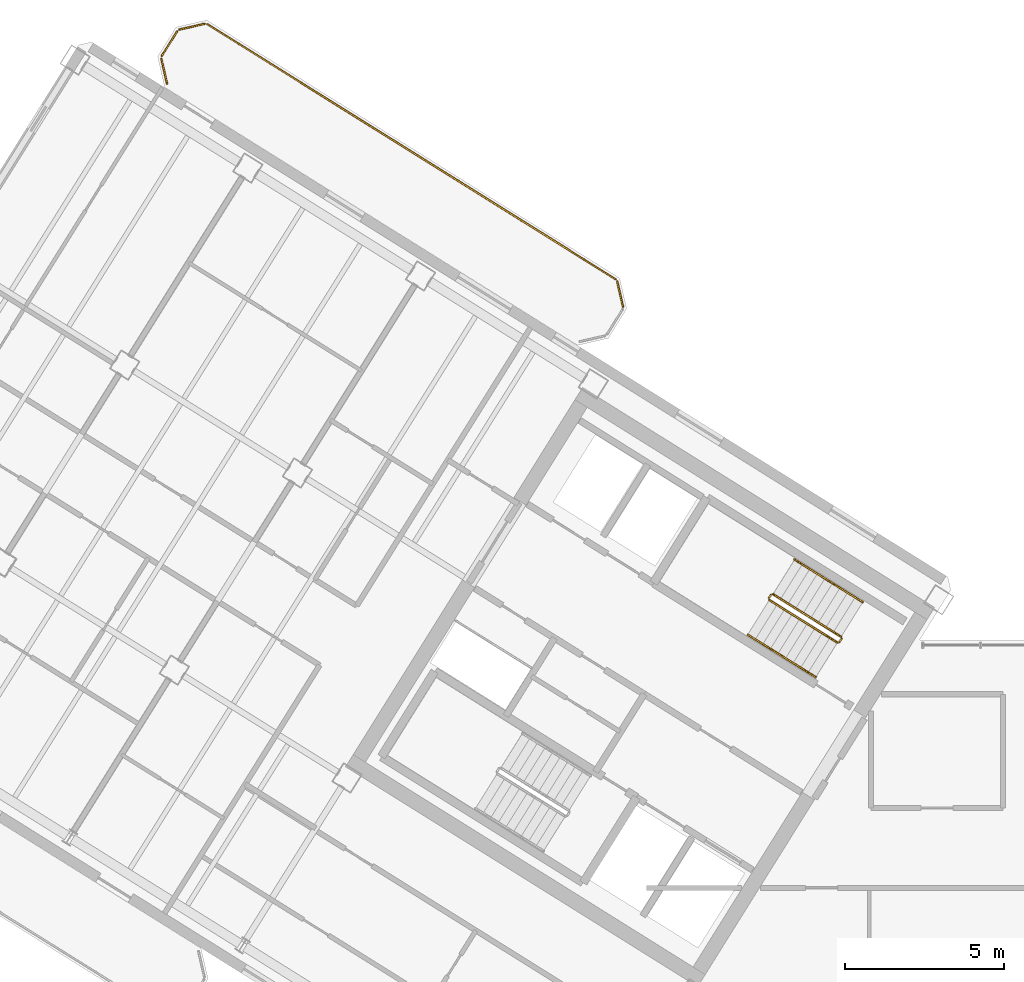
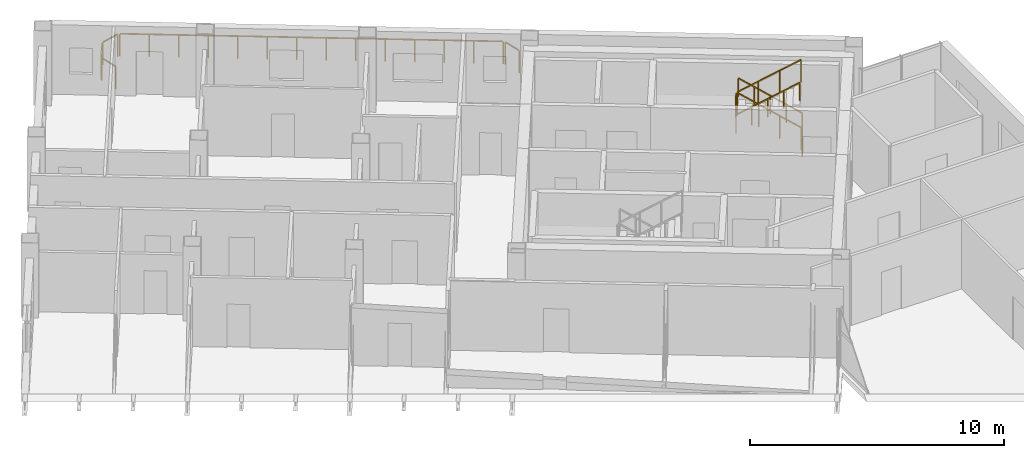
# One storey, part 14 of 14: 13 railings.
"""IFC4 building model written with IfcOpenShell, lengths in metres."""

from ifc_helpers import new_model, si_unit, direction, frame, origin, origin_2d, place, context, subcontext, project, spatial, rectangle, extrude, source, transform, mapped, material, type_object, element, save


model = new_model("IFC4")

# Units and contexts
model_context = context("Model", 3, precision=1e-05, world=origin(), true_north=direction((0.0, 1.0)))
body_context = subcontext(model_context, "Body", "Model", "MODEL_VIEW")
ifc_project = project(units=[si_unit("LENGTHUNIT", "METRE"), si_unit("AREAUNIT", "SQUARE_METRE"), si_unit("VOLUMEUNIT", "CUBIC_METRE"), si_unit("PLANEANGLEUNIT", "RADIAN"), si_unit("MASSUNIT", "GRAM", prefix="KILO")], contexts=[model_context])

# Site, building, storey
site_placement = place(None, origin())
site = spatial("IfcSite", under=ifc_project, at=site_placement, CompositionType="ELEMENT")
building_placement = place(site_placement, origin())
building = spatial("IfcBuilding", under=site, at=building_placement, Name="Tlacorven Tower", CompositionType="ELEMENT")
storey_placement = place(building_placement, frame((0.0, 0.0, 273.60009765625)))
storey = spatial("IfcBuildingStorey", under=building, at=storey_placement, Name="L69", CompositionType="ELEMENT", Elevation=273.60009765625)

# Railings
ifc_material = material(Name="Aluminium and painted steel balustrade", Category="steel")
railing_type_1 = type_object("IfcRailingType", Name="RL-BAL-1100", PredefinedType="BALUSTRADE", material=ifc_material)
shared_shape_1 = source(origin(), body_context, "Body", "SweptSolid", [
    extrude(rectangle(XDim=0.048095703125, YDim=0.048095703125, at=origin_2d()), frame((0.0, 0.0, 1.076171875), z_axis=(0.225058334816, -0.974345290916, 0.0), x_axis=(0.974345290916, 0.225058334816, 0.0)), (0.0, 0.0, 1.0), 0.80712890625),
    extrude(rectangle(XDim=0.0419921875, YDim=0.0419921875, at=origin_2d()), origin(), (0.0, 0.0, 1.0), 1.052001953125),
    extrude(rectangle(XDim=0.0419921875, YDim=0.0419921875, at=origin_2d()), frame((0.181640625, -0.786376953125, 0.0)), (0.0, 0.0, 1.0), 1.052001953125),
])
railing_1_placement = place(storey_placement, frame((30.6796875, 34.466064453125, 0.0)))
element("IfcRailing", 1, at=railing_1_placement, inside=storey, type_object=railing_type_1, Name="BAL-L69-W-IN Guard Railing 1", PredefinedType="BALUSTRADE", context=body_context, shape_type="MappedRepresentation", body=[
    mapped(shared_shape_1, transform((0.0, 0.0, 0.0), scale=1.0)),
])
shared_shape_2 = source(origin(), body_context, "Body", "SweptSolid", [
    extrude(rectangle(XDim=0.048095703125, YDim=0.048095703125, at=origin_2d()), frame((0.0, 0.0, 1.076171875), z_axis=(-0.225058334816, 0.974345290916, 0.0), x_axis=(-0.974345290916, -0.225058334816, 0.0)), (0.0, 0.0, 1.0), 0.80712890625),
    extrude(rectangle(XDim=0.0419921875, YDim=0.0419921875, at=origin_2d()), origin(), (0.0, 0.0, 1.0), 1.052001953125),
    extrude(rectangle(XDim=0.0419921875, YDim=0.0419921875, at=origin_2d()), frame((-0.181640625, 0.786376953125, 0.0)), (0.0, 0.0, 1.0), 1.052001953125),
])
railing_2_placement = place(storey_placement, frame((16.5361328125, 40.68115234375, 0.0)))
element("IfcRailing", 2, at=railing_2_placement, inside=storey, type_object=railing_type_1, Name="BAL-L69-W-IN Guard Railing 4", PredefinedType="BALUSTRADE", context=body_context, shape_type="MappedRepresentation", body=[
    mapped(shared_shape_2, transform((0.0, 0.0, 0.0), scale=1.0)),
])
shared_shape_3 = source(origin(), body_context, "Body", "SweptSolid", [
    extrude(rectangle(XDim=0.048095703125, YDim=0.048095703125, at=origin_2d()), frame((0.0, 0.0, 1.076171875), z_axis=(0.52987865805, 0.848073468364, 0.0), x_axis=(-0.848073468364, 0.52987865805, 0.0)), (0.0, 0.0, 1.0), 0.912353515625),
    extrude(rectangle(XDim=0.0419921875, YDim=0.0419921875, at=origin_2d()), origin(), (0.0, 0.0, 1.0), 1.052001953125),
    extrude(rectangle(XDim=0.0419921875, YDim=0.0419921875, at=origin_2d()), frame((0.4833984375, 0.773681640625, 0.0)), (0.0, 0.0, 1.0), 1.052001953125),
])
railing_3_placement = place(storey_placement, frame((16.369873046875, 41.55859375, 0.0)))
element("IfcRailing", 3, at=railing_3_placement, inside=storey, type_object=railing_type_1, Name="BAL-L69-W-IN Guard Railing 5", PredefinedType="BALUSTRADE", context=body_context, shape_type="MappedRepresentation", body=[
    mapped(shared_shape_3, transform((0.0, 0.0, 0.0), scale=1.0)),
])
shared_shape_4 = source(origin(), body_context, "Body", "SweptSolid", [
    extrude(rectangle(XDim=0.048095703125, YDim=0.048095703125, at=origin_2d()), frame((0.0, 0.0, 1.076171875), z_axis=(0.974411586182, 0.224771129628, 0.0), x_axis=(-0.224771129628, 0.974411586182, 0.0)), (0.0, 0.0, 1.0), 0.80712890625),
    extrude(rectangle(XDim=0.0419921875, YDim=0.0419921875, at=origin_2d()), origin(), (0.0, 0.0, 1.0), 1.052001953125),
    extrude(rectangle(XDim=0.0419921875, YDim=0.0419921875, at=origin_2d()), frame((0.786376953125, 0.181396484375, 0.0)), (0.0, 0.0, 1.0), 1.052001953125),
])
railing_4_placement = place(storey_placement, frame((16.928466796875, 42.385986328125, 0.0)))
element("IfcRailing", 4, at=railing_4_placement, inside=storey, type_object=railing_type_1, Name="BAL-L69-W-IN Guard Railing 6", PredefinedType="BALUSTRADE", context=body_context, shape_type="MappedRepresentation", body=[
    mapped(shared_shape_4, transform((0.0, 0.0, 0.0), scale=1.0)),
])
shared_shape_5 = source(origin(), body_context, "Body", "SweptSolid", [
    extrude(rectangle(XDim=0.048095703125, YDim=0.048095703125, at=origin_2d()), frame((0.0, 0.0, 1.076171875), z_axis=(0.848044572804, -0.529924902733, 0.0), x_axis=(0.529924902733, 0.848044572804, 0.0)), (0.0, 0.0, 1.0), 15.1171875),
    extrude(rectangle(XDim=0.0419921875, YDim=0.0419921875, at=origin_2d()), origin(), (0.0, 0.0, 1.0), 1.052001953125),
    extrude(rectangle(XDim=0.0419921875, YDim=0.0419921875, at=origin_2d()), frame((0.986083984375, -0.6162109375, 0.0)), (0.0, 0.0, 1.0), 1.052001953125),
    extrude(rectangle(XDim=0.0419921875, YDim=0.0419921875, at=origin_2d()), frame((1.972412109375, -1.232421875, 0.0)), (0.0, 0.0, 1.0), 1.052001953125),
    extrude(rectangle(XDim=0.0419921875, YDim=0.0419921875, at=origin_2d()), frame((2.95849609375, -1.8486328125, 0.0)), (0.0, 0.0, 1.0), 1.052001953125),
    extrude(rectangle(XDim=0.0419921875, YDim=0.0419921875, at=origin_2d()), frame((3.944580078125, -2.46484375, 0.0)), (0.0, 0.0, 1.0), 1.052001953125),
    extrude(rectangle(XDim=0.0419921875, YDim=0.0419921875, at=origin_2d()), frame((4.930908203125, -3.0810546875, 0.0)), (0.0, 0.0, 1.0), 1.052001953125),
    extrude(rectangle(XDim=0.0419921875, YDim=0.0419921875, at=origin_2d()), frame((5.9169921875, -3.697265625, 0.0)), (0.0, 0.0, 1.0), 1.052001953125),
    extrude(rectangle(XDim=0.0419921875, YDim=0.0419921875, at=origin_2d()), frame((6.903076171875, -4.313720703125, 0.0)), (0.0, 0.0, 1.0), 1.052001953125),
    extrude(rectangle(XDim=0.0419921875, YDim=0.0419921875, at=origin_2d()), frame((7.88916015625, -4.929931640625, 0.0)), (0.0, 0.0, 1.0), 1.052001953125),
    extrude(rectangle(XDim=0.0419921875, YDim=0.0419921875, at=origin_2d()), frame((8.87548828125, -5.546142578125, 0.0)), (0.0, 0.0, 1.0), 1.052001953125),
    extrude(rectangle(XDim=0.0419921875, YDim=0.0419921875, at=origin_2d()), frame((9.861572265625, -6.162353515625, 0.0)), (0.0, 0.0, 1.0), 1.052001953125),
    extrude(rectangle(XDim=0.0419921875, YDim=0.0419921875, at=origin_2d()), frame((10.84765625, -6.778564453125, 0.0)), (0.0, 0.0, 1.0), 1.052001953125),
    extrude(rectangle(XDim=0.0419921875, YDim=0.0419921875, at=origin_2d()), frame((11.833984375, -7.394775390625, 0.0)), (0.0, 0.0, 1.0), 1.052001953125),
    extrude(rectangle(XDim=0.0419921875, YDim=0.0419921875, at=origin_2d()), frame((12.820068359375, -8.010986328125, 0.0)), (0.0, 0.0, 1.0), 1.052001953125),
])
railing_5_placement = place(storey_placement, frame((17.805908203125, 42.55224609375, 0.0)))
element("IfcRailing", 5, at=railing_5_placement, inside=storey, type_object=railing_type_1, Name="BAL-L69-W-IN Guard Railing 7", PredefinedType="BALUSTRADE", context=body_context, shape_type="MappedRepresentation", body=[
    mapped(shared_shape_5, transform((0.0, 0.0, 0.0), scale=1.0)),
])
railing_type_2 = type_object("IfcRailingType", Name="RL-GRD-1100", PredefinedType="GUARDRAIL", material=ifc_material)
shared_shape_6 = source(origin(), body_context, "Body", "SweptSolid", [
    extrude(rectangle(XDim=0.048095703125, YDim=0.048095703125, at=origin_2d()), frame((0.0, 0.0, 1.076171875), z_axis=(-0.530546985787, -0.847655529016, 0.0), x_axis=(0.847655529016, -0.530546985787, 0.0)), (0.0, 0.0, 1.0), 0.1201171875),
    extrude(rectangle(XDim=0.0419921875, YDim=0.0419921875, at=origin_2d()), origin(), (0.0, 0.0, 1.0), 1.052001953125),
    extrude(rectangle(XDim=0.0419921875, YDim=0.0419921875, at=origin_2d()), frame((-0.063720703125, -0.101806640625, 0.0)), (0.0, 0.0, 1.0), 1.052001953125),
])
railing_6_placement = place(storey_placement, frame((37.728271484375, 23.24072265625, 0.0)))
element("IfcRailing", 6, at=railing_6_placement, inside=storey, type_object=railing_type_2, Name="L69 ST-W2 stair guard 4", PredefinedType="GUARDRAIL", context=body_context, shape_type="MappedRepresentation", body=[
    mapped(shared_shape_6, transform((0.0, 0.0, 0.0), scale=1.0)),
])
railing_type_3 = type_object("IfcRailingType", Name="RL-HND-0900", PredefinedType="HANDRAIL", material=ifc_material)
shared_shape_7 = source(origin(), body_context, "Body", "SweptSolid", [
    extrude(rectangle(XDim=0.048095703125, YDim=0.048095703125, at=origin_2d()), frame((0.0, 0.0, 0.8759765625), z_axis=(-0.713359751793, 0.4457479829, 0.540764828981), x_axis=(-0.529911857636, -0.848052724267, 0.0)), (0.0, 0.0, 1.0), 1.498046875),
    extrude(rectangle(XDim=0.0419921875, YDim=0.0419921875, at=origin_2d()), origin(), (0.0, 0.0, 1.0), 0.851806640625),
    extrude(rectangle(XDim=0.0419921875, YDim=0.0419921875, at=origin_2d()), frame((-0.5341796875, 0.333984375, 0.405029296875)), (0.0, 0.0, 1.0), 0.851806640625),
    extrude(rectangle(XDim=0.0419921875, YDim=0.0419921875, at=origin_2d()), frame((-1.068603515625, 0.667724609375, 0.81005859375)), (0.0, 0.0, 1.0), 0.851806640625),
])
railing_7_placement = place(storey_placement, frame((38.390625, 24.39501953125, 0.179931640625)))
element("IfcRailing", 7, at=railing_7_placement, inside=storey, type_object=railing_type_3, Name="L69 ST-W2 stair handrail 1", PredefinedType="HANDRAIL", context=body_context, shape_type="MappedRepresentation", body=[
    mapped(shared_shape_7, transform((0.0, 0.0, 0.0), scale=1.0)),
])
shared_shape_8 = source(origin(), body_context, "Body", "SweptSolid", [
    extrude(rectangle(XDim=0.048095703125, YDim=0.048095703125, at=origin_2d()), frame((0.0, 0.0, 0.8759765625), z_axis=(0.713359751793, -0.4457479829, 0.540764828981), x_axis=(0.529911857636, 0.848052724267, 0.0)), (0.0, 0.0, 1.0), 1.498046875),
    extrude(rectangle(XDim=0.0419921875, YDim=0.0419921875, at=origin_2d()), origin(), (0.0, 0.0, 1.0), 0.851806640625),
    extrude(rectangle(XDim=0.0419921875, YDim=0.0419921875, at=origin_2d()), frame((0.5341796875, -0.333984375, 0.405029296875)), (0.0, 0.0, 1.0), 0.851806640625),
    extrude(rectangle(XDim=0.0419921875, YDim=0.0419921875, at=origin_2d()), frame((1.068603515625, -0.667724609375, 0.81005859375)), (0.0, 0.0, 1.0), 0.851806640625),
])
railing_8_placement = place(storey_placement, frame((35.848876953125, 22.705078125, 2.789794921875)))
element("IfcRailing", 8, at=railing_8_placement, inside=storey, type_object=railing_type_3, Name="L69 ST-W2 stair handrail 4", PredefinedType="HANDRAIL", context=body_context, shape_type="MappedRepresentation", body=[
    mapped(shared_shape_8, transform((0.0, 0.0, 0.0), scale=1.0)),
])
shared_shape_9 = source(origin(), body_context, "Body", "SweptSolid", [
    extrude(rectangle(XDim=0.048095703125, YDim=0.048095703125, at=origin_2d()), frame((0.0, 0.0, 1.076171875), z_axis=(-0.713351164325, 0.445793541512, 0.540738601085), x_axis=(-0.529955395941, -0.84802551749, 0.0)), (0.0, 0.0, 1.0), 2.99560546875),
    extrude(rectangle(XDim=0.0419921875, YDim=0.0419921875, at=origin_2d()), origin(), (0.0, 0.0, 1.0), 1.052001953125),
    extrude(rectangle(XDim=0.0419921875, YDim=0.0419921875, at=origin_2d()), frame((-0.71240234375, 0.445068359375, 0.5400390625)), (0.0, 0.0, 1.0), 1.052001953125),
    extrude(rectangle(XDim=0.0419921875, YDim=0.0419921875, at=origin_2d()), frame((-1.424560546875, 0.890380859375, 1.079833984375)), (0.0, 0.0, 1.0), 1.052001953125),
    extrude(rectangle(XDim=0.0419921875, YDim=0.0419921875, at=origin_2d()), frame((-2.136962890625, 1.33544921875, 1.619873046875)), (0.0, 0.0, 1.0), 1.052001953125),
])
railing_9_placement = place(storey_placement, frame((37.712158203125, 23.3095703125, 0.179931640625)))
element("IfcRailing", 9, at=railing_9_placement, inside=storey, type_object=railing_type_2, Name="L69 ST-W2 stair guard 1", PredefinedType="GUARDRAIL", context=body_context, shape_type="MappedRepresentation", body=[
    mapped(shared_shape_9, transform((0.0, 0.0, 0.0), scale=1.0)),
])
shared_shape_10 = source(origin(), body_context, "Body", "SweptSolid", [
    extrude(rectangle(XDim=0.048095703125, YDim=0.048095703125, at=origin_2d()), frame((0.0, 0.0, 0.8759765625), z_axis=(-0.713422621445, 0.445787267455, 0.540649494022), x_axis=(-0.529911857636, -0.848052724267, 0.0)), (0.0, 0.0, 1.0), 1.497802734375),
    extrude(rectangle(XDim=0.0419921875, YDim=0.0419921875, at=origin_2d()), origin(), (0.0, 0.0, 1.0), 0.851806640625),
    extrude(rectangle(XDim=0.0419921875, YDim=0.0419921875, at=origin_2d()), frame((-0.5341796875, 0.333984375, 0.40478515625)), (0.0, 0.0, 1.0), 0.851806640625),
    extrude(rectangle(XDim=0.0419921875, YDim=0.0419921875, at=origin_2d()), frame((-1.068603515625, 0.667724609375, 0.809814453125)), (0.0, 0.0, 1.0), 0.851806640625),
])
railing_10_placement = place(storey_placement, frame((37.322021484375, 25.062744140625, 0.989990234375)))
element("IfcRailing", 10, at=railing_10_placement, inside=storey, type_object=railing_type_3, Name="L69 ST-W2 stair handrail 2", PredefinedType="HANDRAIL", context=body_context, shape_type="MappedRepresentation", body=[
    mapped(shared_shape_10, transform((0.0, 0.0, 0.0), scale=1.0)),
])
shared_shape_11 = source(origin(), body_context, "Body", "SweptSolid", [
    extrude(rectangle(XDim=0.048095703125, YDim=0.048095703125, at=origin_2d()), frame((0.0, 0.0, 0.8759765625), z_axis=(0.713422621445, -0.445787267455, 0.540649494022), x_axis=(0.529911857636, 0.848052724267, 0.0)), (0.0, 0.0, 1.0), 1.497802734375),
    extrude(rectangle(XDim=0.0419921875, YDim=0.0419921875, at=origin_2d()), origin(), (0.0, 0.0, 1.0), 0.851806640625),
    extrude(rectangle(XDim=0.0419921875, YDim=0.0419921875, at=origin_2d()), frame((0.5341796875, -0.333984375, 0.40478515625)), (0.0, 0.0, 1.0), 0.851806640625),
    extrude(rectangle(XDim=0.0419921875, YDim=0.0419921875, at=origin_2d()), frame((1.068603515625, -0.667724609375, 0.809814453125)), (0.0, 0.0, 1.0), 0.851806640625),
])
railing_11_placement = place(storey_placement, frame((34.7802734375, 23.372802734375, 1.97998046875)))
element("IfcRailing", 11, at=railing_11_placement, inside=storey, type_object=railing_type_3, Name="L69 ST-W2 stair handrail 3", PredefinedType="HANDRAIL", context=body_context, shape_type="MappedRepresentation", body=[
    mapped(shared_shape_11, transform((0.0, 0.0, 0.0), scale=1.0)),
])
shared_shape_12 = source(origin(), body_context, "Body", "SweptSolid", [
    extrude(rectangle(XDim=0.048095703125, YDim=0.048095703125, at=origin_2d()), frame((0.0, 0.0, 1.076171875), z_axis=(-0.531462422766, -0.847081869236, 0.0), x_axis=(0.847081869236, -0.531462422766, 0.0)), (0.0, 0.0, 1.0), 0.119873046875),
    extrude(rectangle(XDim=0.0419921875, YDim=0.0419921875, at=origin_2d()), origin(), (0.0, 0.0, 1.0), 1.052001953125),
    extrude(rectangle(XDim=0.0419921875, YDim=0.0419921875, at=origin_2d()), frame((-0.063720703125, -0.1015625, 0.0)), (0.0, 0.0, 1.0), 1.052001953125),
])
railing_12_placement = place(storey_placement, frame((35.50634765625, 24.62890625, 1.7998046875)))
element("IfcRailing", 12, at=railing_12_placement, inside=storey, type_object=railing_type_2, Name="L69 ST-W2 stair guard 2", PredefinedType="GUARDRAIL", context=body_context, shape_type="MappedRepresentation", body=[
    mapped(shared_shape_12, transform((0.0, 0.0, 0.0), scale=1.0)),
])
shared_shape_13 = source(origin(), body_context, "Body", "SweptSolid", [
    extrude(rectangle(XDim=0.048095703125, YDim=0.048095703125, at=origin_2d()), frame((0.0, 0.0, 1.076171875), z_axis=(0.713417101326, -0.445702322042, 0.540726806865), x_axis=(0.52984217967, 0.848096259066, 0.0)), (0.0, 0.0, 1.0), 2.995849609375),
    extrude(rectangle(XDim=0.0419921875, YDim=0.0419921875, at=origin_2d()), origin(), (0.0, 0.0, 1.0), 1.052001953125),
    extrude(rectangle(XDim=0.0419921875, YDim=0.0419921875, at=origin_2d()), frame((0.71240234375, -0.445068359375, 0.5400390625)), (0.0, 0.0, 1.0), 1.052001953125),
    extrude(rectangle(XDim=0.0419921875, YDim=0.0419921875, at=origin_2d()), frame((1.4248046875, -0.89013671875, 1.079833984375)), (0.0, 0.0, 1.0), 1.052001953125),
    extrude(rectangle(XDim=0.0419921875, YDim=0.0419921875, at=origin_2d()), frame((2.13720703125, -1.335205078125, 1.619873046875)), (0.0, 0.0, 1.0), 1.052001953125),
])
railing_13_placement = place(storey_placement, frame((35.45849609375, 24.458251953125, 1.97998046875)))
element("IfcRailing", 13, at=railing_13_placement, inside=storey, type_object=railing_type_2, Name="L69 ST-W2 stair guard 3", PredefinedType="GUARDRAIL", context=body_context, shape_type="MappedRepresentation", body=[
    mapped(shared_shape_13, transform((0.0, 0.0, 0.0), scale=1.0)),
])

save(model, "model.ifc")
